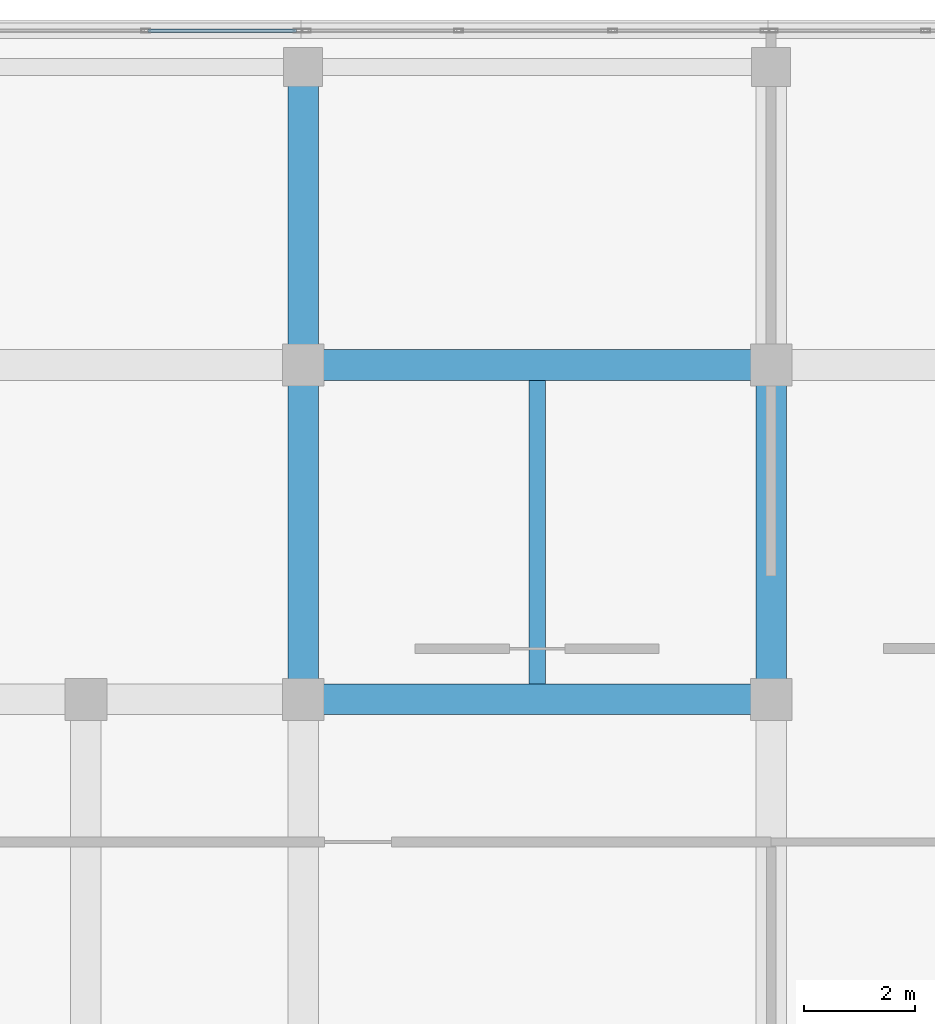
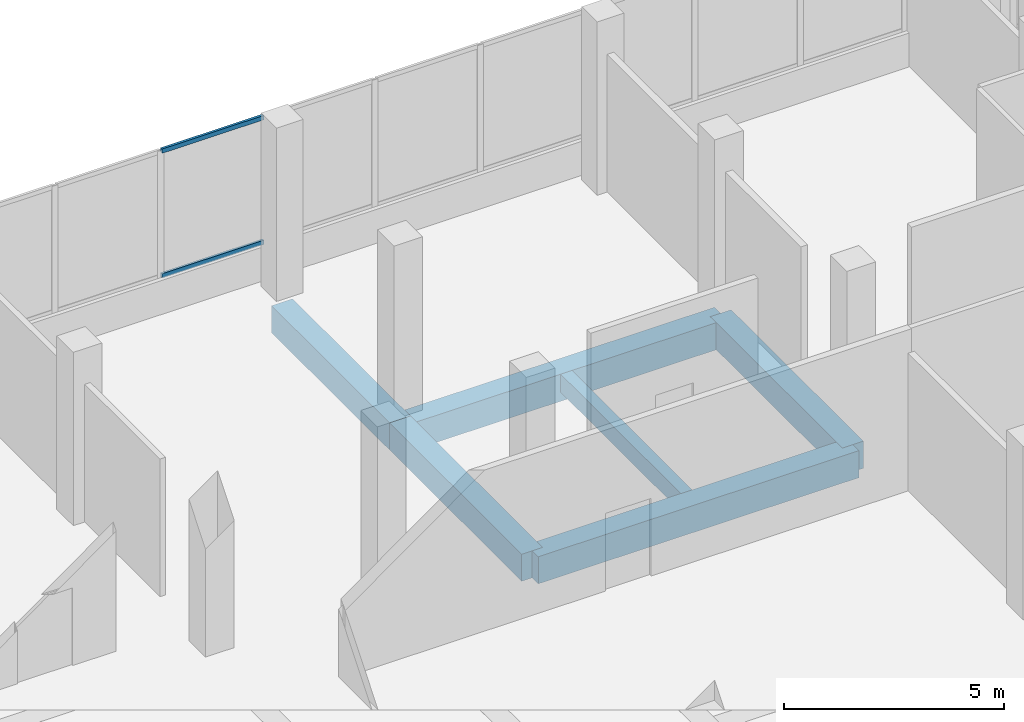
# One storey, part 67 of 155: 6 beams, 2 members, 1 element without a shape of its own.
"""IFC4 building model written with IfcOpenShell, lengths in metres."""

from ifc_helpers import new_model, si_unit, direction, frame, origin, origin_2d, place, context, subcontext, project, spatial, rectangle, hollow_rectangle, extrude, material, material_profile, profile_set, type_object, element, aggregate, save


model = new_model("IFC4")

# Units and contexts
model_context = context("Model", 3, precision=1e-05, world=origin(), true_north=direction((0.0, 1.0)))
body_context = subcontext(model_context, "Body", "Model", "MODEL_VIEW")
ifc_project = project(units=[si_unit("LENGTHUNIT", "METRE"), si_unit("AREAUNIT", "SQUARE_METRE"), si_unit("VOLUMEUNIT", "CUBIC_METRE"), si_unit("PLANEANGLEUNIT", "RADIAN"), si_unit("MASSUNIT", "GRAM", prefix="KILO")], contexts=[model_context])

# Site, building, storey
site_placement = place(None, origin())
site = spatial("IfcSite", under=ifc_project, at=site_placement, CompositionType="ELEMENT")
building_placement = place(site_placement, origin())
building = spatial("IfcBuilding", under=site, at=building_placement, Name="Selatvlak General Hospital", CompositionType="ELEMENT")
storey_placement = place(building_placement, frame((0.0, 0.0, 10.199951171875)))
storey = spatial("IfcBuildingStorey", under=building, at=storey_placement, Name="L02", CompositionType="ELEMENT", Elevation=10.199951171875)

# Beams
ifc_material_1 = material(Name="Concrete C40/50", Category="concrete")
ifc_material_profile_1 = material_profile(ifc_material_1, rectangle(XDim=0.550048828125, YDim=0.75, at=origin_2d()), Name="RC-BM 550x750")
ifc_profile_set_1 = profile_set([ifc_material_profile_1], Name="Concrete C40/50")
beam_type_1 = type_object("IfcBeamType", Name="BM-G02", PredefinedType="BEAM", material=ifc_profile_set_1)
for number, where, z_axis, x_axis, name in (
    (1, (31.199951171875, 108.0, -0.72998046875), (1.0, 0.0, 0.0), (0.0, 1.0, 0.0), "Beam BMR-L02-0884"),
    (2, (31.199951171875, 114.0, -0.72998046875), (1.0, 0.0, 0.0), (0.0, 1.0, 0.0), "Beam BMR-L02-0896"),
):
    element("IfcBeam", number, at=place(storey_placement, frame(where, z_axis=z_axis, x_axis=x_axis)), inside=storey, type_object=beam_type_1, Name=name, PredefinedType="BEAM", context=body_context, shape_type="SweptSolid", body=[
        extrude(rectangle(XDim=0.550048828125, YDim=0.75, at=origin_2d()), origin(), (0.0, 0.0, 1.0), 8.400146484375),
    ])
beam_1_placement = place(storey_placement, frame((31.199951171875, 108.0, -0.72998046875), z_axis=(0.0, 1.0, 0.0), x_axis=(-1.0, 0.0, 0.0)))
element("IfcBeam", 3, at=beam_1_placement, inside=storey, type_object=beam_type_1, Name="Beam BMR-L02-0941", PredefinedType="BEAM", context=body_context, shape_type="SweptSolid", body=[
    extrude(rectangle(XDim=0.550048828125, YDim=0.75, at=origin_2d()), origin(), (0.0, 0.0, 1.0), 6.0),
])
beam_2_placement = place(storey_placement, frame((31.199951171875, 114.0, -0.72998046875), z_axis=(0.0, 1.0, 0.0), x_axis=(-1.0, 0.0, 0.0)))
element("IfcBeam", 4, at=beam_2_placement, inside=storey, type_object=beam_type_1, Name="Beam BMR-L02-0942", PredefinedType="BEAM", context=body_context, shape_type="SweptSolid", body=[
    extrude(rectangle(XDim=0.550048828125, YDim=0.75, at=origin_2d()), origin(), (0.0, 0.0, 1.0), 5.35009765625),
])
beam_3_placement = place(storey_placement, frame((39.60009765625, 108.0, -0.72998046875), z_axis=(0.0, 1.0, 0.0), x_axis=(-1.0, 0.0, 0.0)))
element("IfcBeam", 5, at=beam_3_placement, inside=storey, type_object=beam_type_1, Name="Beam BMR-L02-0949", PredefinedType="BEAM", context=body_context, shape_type="SweptSolid", body=[
    extrude(rectangle(XDim=0.550048828125, YDim=0.75, at=origin_2d()), origin(), (0.0, 0.0, 1.0), 6.0),
])
ifc_material_profile_2 = material_profile(ifc_material_1, rectangle(XDim=0.300048828125, YDim=0.5, at=origin_2d()), Name="RC-BM 300x500")
ifc_profile_set_2 = profile_set([ifc_material_profile_2], Name="Concrete C40/50")
beam_type_2 = type_object("IfcBeamType", Name="BM-J02", PredefinedType="JOIST", material=ifc_profile_set_2)
beam_4_placement = place(storey_placement, frame((35.39990234375, 108.27490234375, -0.60498046875), z_axis=(0.0, 1.0, 0.0), x_axis=(-1.0, 0.0, 0.0)))
element("IfcBeam", 6, at=beam_4_placement, inside=storey, type_object=beam_type_2, Name="Beam BMR-L02-1089", PredefinedType="JOIST", context=body_context, shape_type="SweptSolid", body=[
    extrude(rectangle(XDim=0.300048828125, YDim=0.5, at=origin_2d()), origin(), (0.0, 0.0, 1.0), 5.4501953125),
])

# Curtain wall, members
ifc_material_2 = material(Name="Solar-control Low-E double glazing", Category="glass")
curtain_wall_type = type_object("IfcCurtainWallType", Name="CW-CW-01", PredefinedType="USERDEFINED", material=ifc_material_2)
curtain_wall_placement = place(storey_placement, origin())
curtain_wall = element("IfcCurtainWall", 7, at=curtain_wall_placement, inside=storey, type_object=curtain_wall_type, Name="Glazed facade curtain wall CW-L02-0244", ObjectType="UNITISED CURTAIN WALL", PredefinedType="USERDEFINED")
ifc_material_3 = material(Name="Dark anodised aluminium mullion", Category="aluminium")
ifc_material_profile_3 = material_profile(ifc_material_3, hollow_rectangle(XDim=0.06494140625, YDim=0.1201171875, WallThickness=0.00390625, at=origin_2d()), Name="AL-TRN 65x120x4")
ifc_profile_set_3 = profile_set([ifc_material_profile_3], Name="Dark anodised aluminium mullion")
member_type = type_object("IfcMemberType", Name="CWT-01", PredefinedType="USERDEFINED", material=ifc_profile_set_3)
member_1_placement = place(storey_placement, frame((28.410888671875, 119.9990234375, 0.97265625), z_axis=(1.0, 0.0, 0.0), x_axis=(0.0, 1.0, 0.0)))
member_1 = element("IfcMember", 8, at=member_1_placement, type_object=member_type, Name="CW-01 transom 3.1", ObjectType="TRANSOM", PredefinedType="USERDEFINED", context=body_context, shape_type="SweptSolid", body=[
    extrude(hollow_rectangle(XDim=0.06494140625, YDim=0.1201171875, WallThickness=0.00390625, at=origin_2d()), origin(), (0.0, 0.0, 1.0), 2.669189453125),
])
member_2_placement = place(storey_placement, frame((28.410888671875, 119.9990234375, 4.427490234375), z_axis=(1.0, 0.0, 0.0), x_axis=(0.0, 1.0, 0.0)))
member_2 = element("IfcMember", 9, at=member_2_placement, type_object=member_type, Name="CW-01 transom 3.2", ObjectType="TRANSOM", PredefinedType="USERDEFINED", context=body_context, shape_type="SweptSolid", body=[
    extrude(hollow_rectangle(XDim=0.06494140625, YDim=0.1201171875, WallThickness=0.00390625, at=origin_2d()), origin(), (0.0, 0.0, 1.0), 2.669189453125),
])
aggregate(curtain_wall, [member_1, member_2])

save(model, "model.ifc")
